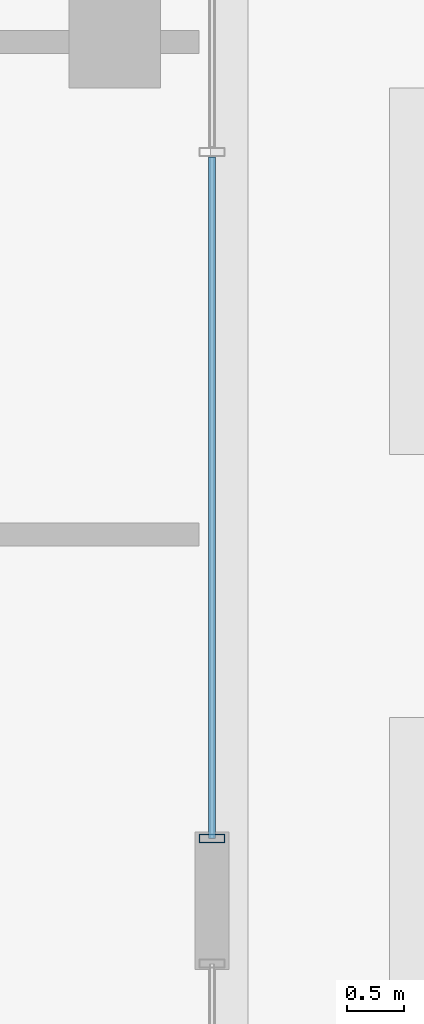
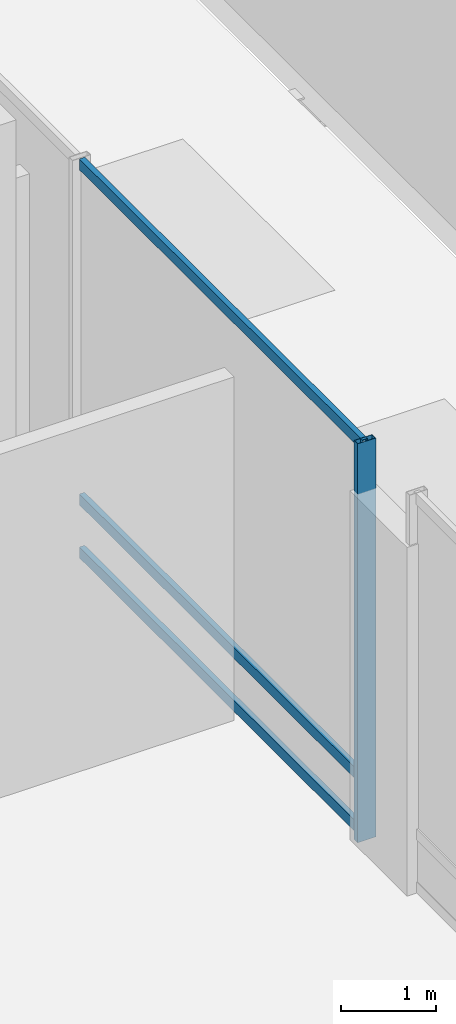
# One storey, part 13 of 36: 4 members, 1 element without a shape of its own.
"""IFC4 building model written with IfcOpenShell, lengths in metres."""

from ifc_helpers import new_model, si_unit, direction, frame, origin, origin_2d, place, context, subcontext, project, spatial, hollow_rectangle, extrude, material, layer, layer_set, material_profile, profile_set, type_object, element, aggregate, save


model = new_model("IFC4")

# Units and contexts
model_context = context("Model", 3, precision=1e-05, world=origin(), true_north=direction((0.0, 1.0)))
body_context = subcontext(model_context, "Body", "Model", "MODEL_VIEW")
ifc_project = project(units=[si_unit("LENGTHUNIT", "METRE"), si_unit("AREAUNIT", "SQUARE_METRE"), si_unit("VOLUMEUNIT", "CUBIC_METRE"), si_unit("PLANEANGLEUNIT", "RADIAN"), si_unit("MASSUNIT", "GRAM", prefix="KILO")], contexts=[model_context])

# Site, building, storey
site_placement = place(None, origin())
site = spatial("IfcSite", under=ifc_project, at=site_placement, CompositionType="ELEMENT")
building_placement = place(site_placement, origin())
building = spatial("IfcBuilding", under=site, at=building_placement, Name="Barlavira Tower and Art Museum", CompositionType="ELEMENT")
storey_placement = place(building_placement, frame((0.0, 0.0, 11.39990234375)))
storey = spatial("IfcBuildingStorey", under=building, at=storey_placement, Name="L02", CompositionType="ELEMENT", Elevation=11.39990234375)

# Curtain wall, members
ifc_material_1 = material(Name="Low-iron coastal laminated glass", Category="glass")
ifc_layer = layer(ifc_material_1, 0.219970703125, Name="Low-iron coastal laminated glass")
ifc_layer_set = layer_set([ifc_layer], Name="Low-iron coastal laminated glass")
curtain_wall_type = type_object("IfcCurtainWallType", Name="Double-Height Podium Arcade Storefront Curtain Wall", PredefinedType="NOTDEFINED", material=ifc_layer_set)
curtain_wall_placement = place(storey_placement, origin())
curtain_wall = element("IfcCurtainWall", 1, at=curtain_wall_placement, inside=storey, type_object=curtain_wall_type, Name="L02 Curtain Wall CW5-L02-EN", PredefinedType="NOTDEFINED")
ifc_material_2 = material(Name="Pale anodised aluminium", Category="aluminium")
ifc_material_profile_1 = material_profile(ifc_material_2, hollow_rectangle(XDim=0.074951171875, YDim=0.219970703125, WallThickness=0.0048828125, at=origin_2d()), Name="ALU-MULL 75x220x5")
ifc_profile_set_1 = profile_set([ifc_material_profile_1], Name="Pale anodised aluminium")
member_type_1 = type_object("IfcMemberType", Name="Curtain Wall Heavy Pale-Metal Mullion 75x220", PredefinedType="MULLION", material=ifc_profile_set_1)
member_1_placement = place(storey_placement, frame((22.85009765625, 0.544921875, 0.0), z_axis=(0.0, 0.0, 1.0), x_axis=(0.0, 1.0, 0.0)))
member_1 = element("IfcMember", 2, at=member_1_placement, type_object=member_type_1, Name="CW5-L02-EN Mullion 0", PredefinedType="MULLION", context=body_context, shape_type="SweptSolid", body=[
    extrude(hollow_rectangle(XDim=0.074951171875, YDim=0.219970703125, WallThickness=0.0048828125, at=origin_2d()), origin(), (0.0, 0.0, 1.0), 5.1201171875),
])
ifc_material_profile_2 = material_profile(ifc_material_2, hollow_rectangle(XDim=0.06494140625, YDim=0.139892578125, WallThickness=0.00390625, at=origin_2d()), Name="ALU-TRAN 65x140x4")
ifc_profile_set_2 = profile_set([ifc_material_profile_2], Name="Pale anodised aluminium")
member_type_2 = type_object("IfcMemberType", Name="Curtain Wall Pale-Metal Transom 65x140", PredefinedType="USERDEFINED", material=ifc_profile_set_2)
member_2_placement = place(storey_placement, frame((22.85009765625, 0.544921875, 0.070068359375), z_axis=(0.0, 1.0, 0.0), x_axis=(-1.0, 0.0, 0.0)))
member_2 = element("IfcMember", 3, at=member_2_placement, type_object=member_type_2, Name="CW5-L02-EN Transom 0.1", ObjectType="TRANSOM", PredefinedType="USERDEFINED", context=body_context, shape_type="SweptSolid", body=[
    extrude(hollow_rectangle(XDim=0.06494140625, YDim=0.139892578125, WallThickness=0.00390625, at=origin_2d()), origin(), (0.0, 0.0, 1.0), 5.9501953125),
])
member_3_placement = place(storey_placement, frame((22.85009765625, 0.544921875, 0.75), z_axis=(0.0, 1.0, 0.0), x_axis=(-1.0, 0.0, 0.0)))
member_3 = element("IfcMember", 4, at=member_3_placement, type_object=member_type_2, Name="CW5-L02-EN Transom 0.2", ObjectType="TRANSOM", PredefinedType="USERDEFINED", context=body_context, shape_type="SweptSolid", body=[
    extrude(hollow_rectangle(XDim=0.06494140625, YDim=0.139892578125, WallThickness=0.00390625, at=origin_2d()), origin(), (0.0, 0.0, 1.0), 5.9501953125),
])
member_4_placement = place(storey_placement, frame((22.85009765625, 0.544921875, 5.050048828125), z_axis=(0.0, 1.0, 0.0), x_axis=(-1.0, 0.0, 0.0)))
member_4 = element("IfcMember", 5, at=member_4_placement, type_object=member_type_2, Name="CW5-L02-EN Transom 0.3", ObjectType="TRANSOM", PredefinedType="USERDEFINED", context=body_context, shape_type="SweptSolid", body=[
    extrude(hollow_rectangle(XDim=0.06494140625, YDim=0.139892578125, WallThickness=0.00390625, at=origin_2d()), origin(), (0.0, 0.0, 1.0), 5.9501953125),
])
aggregate(curtain_wall, [member_1, member_2, member_3, member_4])

save(model, "model.ifc")
